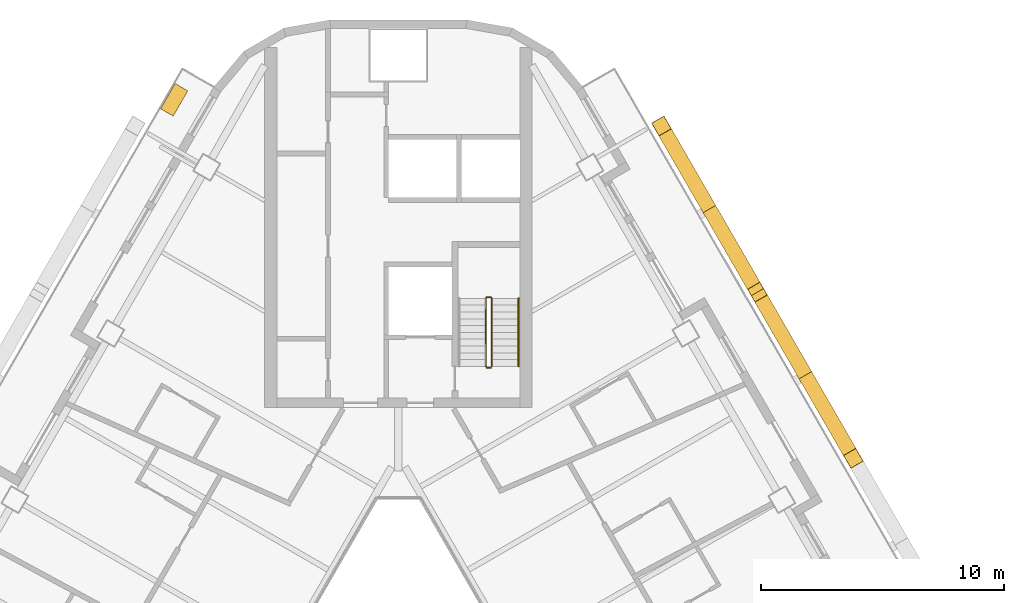
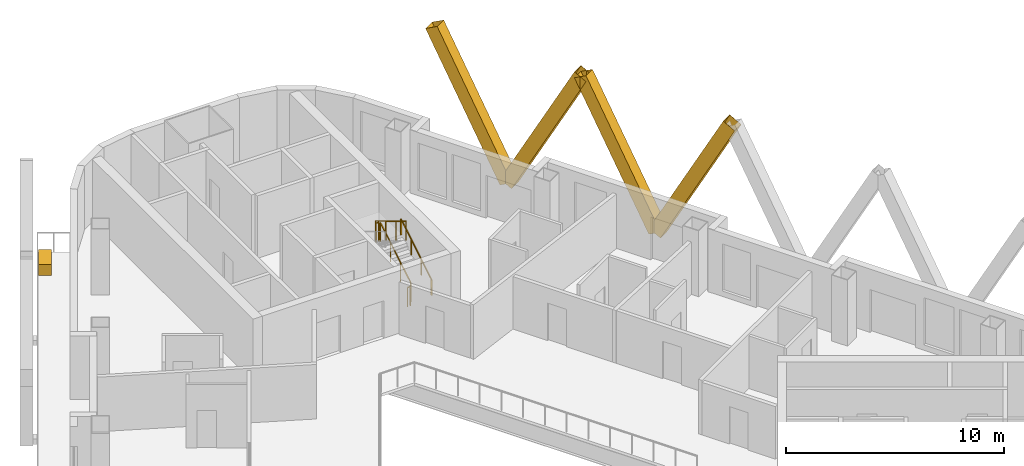
# One storey, part 14 of 14: 5 railings, 4 shading devices, 1 covering.
"""IFC4 building model written with IfcOpenShell, lengths in metres."""

from ifc_helpers import new_model, si_unit, direction, frame, origin, origin_2d, place, context, subcontext, project, spatial, rectangle, hollow_rectangle, circle, extrude, material, material_profile, profile_set, type_object, element, save


model = new_model("IFC4")

# Units and contexts
model_context = context("Model", 3, precision=1e-05, world=origin(), true_north=direction((0.0, 1.0)))
body_context = subcontext(model_context, "Body", "Model", "MODEL_VIEW")
ifc_project = project(units=[si_unit("LENGTHUNIT", "METRE"), si_unit("AREAUNIT", "SQUARE_METRE"), si_unit("VOLUMEUNIT", "CUBIC_METRE"), si_unit("PLANEANGLEUNIT", "RADIAN"), si_unit("MASSUNIT", "GRAM", prefix="KILO")], contexts=[model_context])

# Site, building, storey
site_placement = place(None, origin())
site = spatial("IfcSite", under=ifc_project, at=site_placement, CompositionType="ELEMENT")
building_placement = place(site_placement, origin())
building = spatial("IfcBuilding", under=site, at=building_placement, Name="Apuvela Tower Hotel", CompositionType="ELEMENT")
storey_placement = place(building_placement, frame((0.0, 0.0, 154.0)))
storey = spatial("IfcBuildingStorey", under=building, at=storey_placement, Name="L36", CompositionType="ELEMENT", Elevation=154.0)

# Railings
ifc_material_1 = material(Name="Steel S275 balustrade", Category="steel")
railing_type_1 = type_object("IfcRailingType", Name="COR-GUARD-1100", PredefinedType="GUARDRAIL", material=ifc_material_1)
railing_1_placement = place(storey_placement, frame((3.85009765625, 14.60009765625, 0.168212890625)))
element("IfcRailing", 1, at=railing_1_placement, inside=storey, type_object=railing_type_1, Name="L36 ST1 stair guard 1", PredefinedType="GUARDRAIL", context=body_context, shape_type="SweptSolid", body=[
    extrude(rectangle(XDim=0.048095703125, YDim=0.048095703125, at=origin_2d()), frame((0.0, 0.0, 1.076171875), z_axis=(0.0, 0.857222391501, 0.514946377315), x_axis=(-1.0, 0.0, 0.0)), (0.0, 0.0, 1.0), 3.26611328125),
    extrude(rectangle(XDim=0.0419921875, YDim=0.0419921875, at=origin_2d()), origin(), (0.0, 0.0, 1.0), 1.052001953125),
    extrude(rectangle(XDim=0.0419921875, YDim=0.0419921875, at=origin_2d()), frame((0.0, 0.933349609375, 0.560546875)), (0.0, 0.0, 1.0), 1.052001953125),
    extrude(rectangle(XDim=0.0419921875, YDim=0.0419921875, at=origin_2d()), frame((0.0, 1.866455078125, 1.121337890625)), (0.0, 0.0, 1.0), 1.052001953125),
    extrude(rectangle(XDim=0.0419921875, YDim=0.0419921875, at=origin_2d()), frame((0.0, 2.7998046875, 1.681884765625)), (0.0, 0.0, 1.0), 1.052001953125),
])
railing_2_placement = place(storey_placement, frame((3.800048828125, 17.449951171875, 1.85009765625)))
element("IfcRailing", 2, at=railing_2_placement, inside=storey, type_object=railing_type_1, Name="L36 ST1 stair guard 2", PredefinedType="GUARDRAIL", context=body_context, shape_type="SweptSolid", body=[
    extrude(rectangle(XDim=0.048095703125, YDim=0.048095703125, at=origin_2d()), frame((0.0, 0.0, 1.076171875), z_axis=(-1.0, 0.0, 0.0), x_axis=(0.0, -1.0, 0.0)), (0.0, 0.0, 1.0), 0.150146484375),
    extrude(rectangle(XDim=0.0419921875, YDim=0.0419921875, at=origin_2d()), origin(), (0.0, 0.0, 1.0), 1.052001953125),
    extrude(rectangle(XDim=0.0419921875, YDim=0.0419921875, at=origin_2d()), frame((-0.150146484375, 0.0, 0.0)), (0.0, 0.0, 1.0), 1.052001953125),
])
railing_3_placement = place(storey_placement, frame((3.60009765625, 17.39990234375, 2.01806640625)))
element("IfcRailing", 3, at=railing_3_placement, inside=storey, type_object=railing_type_1, Name="L36 ST1 stair guard 3", PredefinedType="GUARDRAIL", context=body_context, shape_type="SweptSolid", body=[
    extrude(rectangle(XDim=0.048095703125, YDim=0.048095703125, at=origin_2d()), frame((0.0, 0.0, 1.076171875), z_axis=(0.0, -0.857222391501, 0.514946377315), x_axis=(1.0, 0.0, 0.0)), (0.0, 0.0, 1.0), 3.26611328125),
    extrude(rectangle(XDim=0.0419921875, YDim=0.0419921875, at=origin_2d()), origin(), (0.0, 0.0, 1.0), 1.052001953125),
    extrude(rectangle(XDim=0.0419921875, YDim=0.0419921875, at=origin_2d()), frame((0.0, -0.933349609375, 0.560546875)), (0.0, 0.0, 1.0), 1.052001953125),
    extrude(rectangle(XDim=0.0419921875, YDim=0.0419921875, at=origin_2d()), frame((0.0, -1.866455078125, 1.121337890625)), (0.0, 0.0, 1.0), 1.052001953125),
    extrude(rectangle(XDim=0.0419921875, YDim=0.0419921875, at=origin_2d()), frame((0.0, -2.7998046875, 1.681884765625)), (0.0, 0.0, 1.0), 1.052001953125),
])
railing_4_placement = place(storey_placement, frame((3.800048828125, 14.550048828125, 0.0)))
element("IfcRailing", 4, at=railing_4_placement, inside=storey, type_object=railing_type_1, Name="L36 ST1 stair guard 4", PredefinedType="GUARDRAIL", context=body_context, shape_type="SweptSolid", body=[
    extrude(rectangle(XDim=0.048095703125, YDim=0.048095703125, at=origin_2d()), frame((0.0, 0.0, 1.076171875), z_axis=(-1.0, 0.0, 0.0), x_axis=(0.0, -1.0, 0.0)), (0.0, 0.0, 1.0), 0.150146484375),
    extrude(rectangle(XDim=0.0419921875, YDim=0.0419921875, at=origin_2d()), origin(), (0.0, 0.0, 1.0), 1.052001953125),
    extrude(rectangle(XDim=0.0419921875, YDim=0.0419921875, at=origin_2d()), frame((-0.150146484375, 0.0, 0.0)), (0.0, 0.0, 1.0), 1.052001953125),
])
ifc_material_2 = material(Name="Stainless steel 316 handrail", Category="steel")
railing_type_2 = type_object("IfcRailingType", Name="COR-HANDRAIL-900", PredefinedType="HANDRAIL", material=ifc_material_2)
railing_5_placement = place(storey_placement, frame((4.949951171875, 14.60009765625, 0.168212890625)))
element("IfcRailing", 5, at=railing_5_placement, inside=storey, type_object=railing_type_2, Name="L36 ST1 stair handrail 1", PredefinedType="HANDRAIL", context=body_context, shape_type="SweptSolid", body=[
    extrude(circle(Radius=0.02392578125, at=origin_2d()), frame((0.0, 0.0, 0.8759765625), z_axis=(0.0, 0.857222391501, 0.514946377315), x_axis=(-1.0, 0.0, 0.0)), (0.0, 0.0, 1.0), 3.26611328125),
    extrude(rectangle(XDim=0.0419921875, YDim=0.0419921875, at=origin_2d()), origin(), (0.0, 0.0, 1.0), 0.851806640625),
    extrude(rectangle(XDim=0.0419921875, YDim=0.0419921875, at=origin_2d()), frame((0.0, 0.933349609375, 0.560546875)), (0.0, 0.0, 1.0), 0.851806640625),
    extrude(rectangle(XDim=0.0419921875, YDim=0.0419921875, at=origin_2d()), frame((0.0, 1.866455078125, 1.121337890625)), (0.0, 0.0, 1.0), 0.851806640625),
    extrude(rectangle(XDim=0.0419921875, YDim=0.0419921875, at=origin_2d()), frame((0.0, 2.7998046875, 1.681884765625)), (0.0, 0.0, 1.0), 0.851806640625),
])

# Shading devices
ifc_material_3 = material(Name="Aluminium 6063-T6, black anodised", Category="aluminium")
ifc_material_profile = material_profile(ifc_material_3, hollow_rectangle(XDim=0.60009765625, YDim=0.699951171875, WallThickness=0.011962890625, at=origin_2d()), Name="AL BOX 700x600x12")
ifc_profile_set = profile_set([ifc_material_profile], Name="Aluminium 6063-T6, black anodised")
shading_device_type = type_object("IfcShadingDeviceType", Name="ENV-FIN-700x600", PredefinedType="USERDEFINED", material=ifc_profile_set)
for number, where, z_axis, x_axis, name in (
    (6, (16.757080078125, 14.23583984375, -0.10009765625), (0.235455039791, -0.407811621453, 0.882185131163), (0.866020906874, 0.500007788796, 0.0), "Lattice fin NE349"),
    (7, (16.757080078125, 14.23583984375, -0.10009765625), (-0.235457834389, 0.407787356937, 0.88219560175), (-0.866005453737, -0.500034552904, 0.0), "Lattice fin NE350"),
    (8, (12.80712890625, 21.077392578125, -0.10009765625), (0.235427548578, -0.407814415956, 0.882191176281), (0.866047669374, 0.499961432884, 0.0), "Lattice fin NE351"),
    (9, (12.80712890625, 21.077392578125, -0.10009765625), (-0.235455039791, 0.407811621453, 0.882185131163), (-0.866020906874, -0.500007788796, 0.0), "Lattice fin NE352"),
):
    element("IfcShadingDevice", number, at=place(storey_placement, frame(where, z_axis=z_axis, x_axis=x_axis)), inside=storey, type_object=shading_device_type, Name=name, ObjectType="FIN", PredefinedType="USERDEFINED", context=body_context, shape_type="SweptSolid", body=[
        extrude(hollow_rectangle(XDim=0.60009765625, YDim=0.699951171875, WallThickness=0.011962890625, at=origin_2d()), origin(), (0.0, 0.0, 1.0), 8.388427734375),
    ])

# Covering
ifc_material_4 = material(Name="Planting substrate and soil, planted")
covering_type = type_object("IfcCoveringType", Name="ENV-PLANTER-1200x600", PredefinedType="USERDEFINED", material=ifc_material_4)
covering_placement = place(storey_placement, frame((-9.228515625, 25.57568359375, 0.0), z_axis=(0.0, 0.0, 1.0), x_axis=(-0.5, -0.866025403784, 0.0)))
element("IfcCovering", 10, at=covering_placement, inside=storey, type_object=covering_type, Name="Planter NW4", ObjectType="PLANTER", PredefinedType="USERDEFINED", context=body_context, shape_type="SweptSolid", body=[
    extrude(rectangle(XDim=1.199951171875, YDim=0.60009765625, at=origin_2d()), origin(), (0.0, 0.0, 1.0), 0.60009765625),
])

save(model, "model.ifc")
